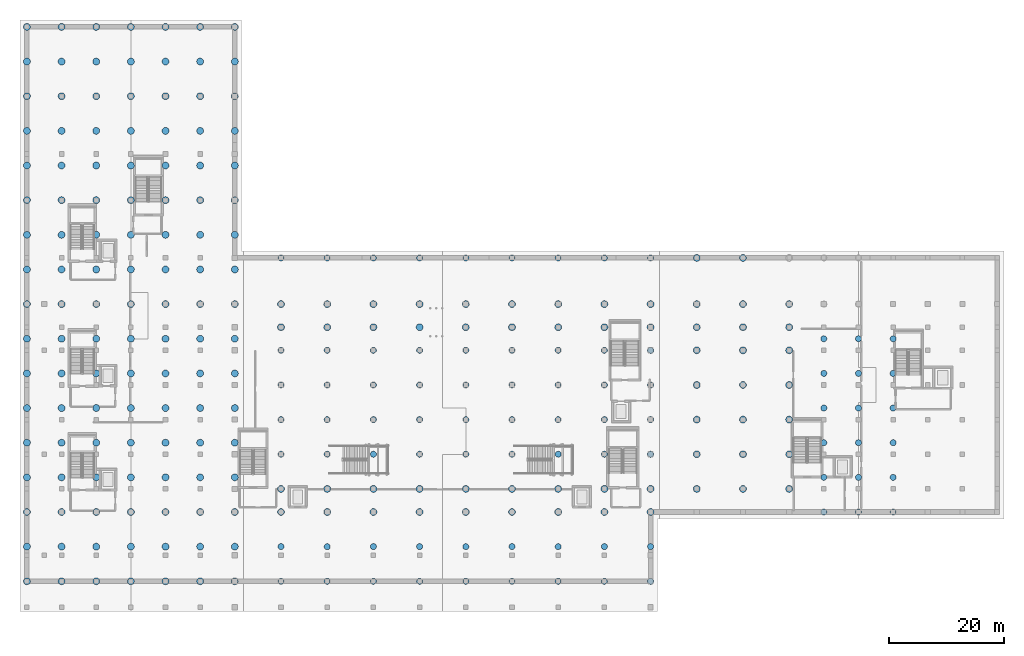
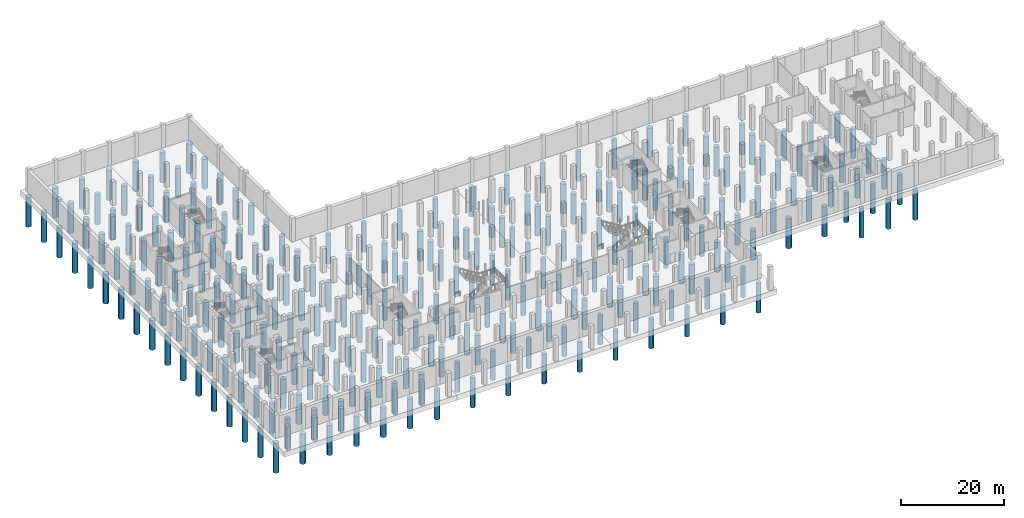
# One storey, part 1 of 26: 259 piles.
"""IFC4 building model written with IfcOpenShell, lengths in metres."""

from ifc_helpers import new_model, si_unit, direction, frame, origin, origin_2d, place, context, subcontext, project, spatial, circle, extrude, material, material_profile, profile_set, type_object, element, save


model = new_model("IFC4")

# Units and contexts
model_context = context("Model", 3, precision=1e-05, world=origin(), true_north=direction((0.0, 1.0)))
body_context = subcontext(model_context, "Body", "Model", "MODEL_VIEW")
ifc_project = project(units=[si_unit("LENGTHUNIT", "METRE"), si_unit("AREAUNIT", "SQUARE_METRE"), si_unit("VOLUMEUNIT", "CUBIC_METRE"), si_unit("PLANEANGLEUNIT", "RADIAN"), si_unit("MASSUNIT", "GRAM", prefix="KILO")], contexts=[model_context])

# Site, building, storey
site_placement = place(None, origin())
site = spatial("IfcSite", under=ifc_project, at=site_placement, CompositionType="ELEMENT")
building_placement = place(site_placement, origin())
building = spatial("IfcBuilding", under=site, at=building_placement, Name="Verrall Gate Interchange", CompositionType="ELEMENT")
storey_placement = place(building_placement, frame((0.0, 0.0, -10.39990234375)))
storey = spatial("IfcBuildingStorey", under=building, at=storey_placement, Name="B2", CompositionType="ELEMENT", Elevation=-10.39990234375)

# Piles
ifc_material_1 = material(Name="Concrete CSA A23.1 35 MPa (Class S-2)", Category="concrete")
ifc_material_profile_1 = material_profile(ifc_material_1, circle(Radius=0.60009765625, at=origin_2d()), Name="PILE1200D")
ifc_profile_set_1 = profile_set([ifc_material_profile_1], Name="Concrete CSA A23.1 35 MPa (Class S-2)")
pile_type_1 = type_object("IfcPileType", Name="PT-01 Bored Pile 1200", PredefinedType="BORED", material=ifc_profile_set_1)
for number, where, z_axis, x_axis, name in (
    (1, (0.0, 0.0, -1.050048828125), (0.0, 0.0, -1.0), (1.0, 0.0, 0.0), "Bored Rock-Socketed Pile P-001 (PT-01)"),
    (2, (0.0, 6.0, -1.050048828125), (0.0, 0.0, -1.0), (1.0, 0.0, 0.0), "Bored Rock-Socketed Pile P-002 (PT-01)"),
    (3, (0.0, 12.0, -1.050048828125), (0.0, 0.0, -1.0), (1.0, 0.0, 0.0), "Bored Rock-Socketed Pile P-003 (PT-01)"),
    (4, (0.0, 18.0, -1.050048828125), (0.0, 0.0, -1.0), (1.0, 0.0, 0.0), "Bored Rock-Socketed Pile P-004 (PT-01)"),
    (5, (0.0, 24.0, -1.050048828125), (0.0, 0.0, -1.0), (1.0, 0.0, 0.0), "Bored Rock-Socketed Pile P-005 (PT-01)"),
    (6, (0.0, 30.0, -1.050048828125), (0.0, 0.0, -1.0), (1.0, 0.0, 0.0), "Bored Rock-Socketed Pile P-006 (PT-01)"),
    (7, (0.0, 36.0, -1.050048828125), (0.0, 0.0, -1.0), (1.0, 0.0, 0.0), "Bored Rock-Socketed Pile P-007 (PT-01)"),
    (8, (0.0, 42.0, -1.050048828125), (0.0, 0.0, -1.0), (1.0, 0.0, 0.0), "Bored Rock-Socketed Pile P-008 (PT-01)"),
    (9, (0.0, 48.0, -1.050048828125), (0.0, 0.0, -1.0), (1.0, 0.0, 0.0), "Bored Rock-Socketed Pile P-009 (PT-01)"),
    (10, (0.0, 54.0, -1.050048828125), (0.0, 0.0, -1.0), (1.0, 0.0, 0.0), "Bored Rock-Socketed Pile P-010 (PT-01)"),
    (11, (0.0, 60.0, -1.050048828125), (0.0, 0.0, -1.0), (1.0, 0.0, 0.0), "Bored Rock-Socketed Pile P-011 (PT-01)"),
    (12, (0.0, 66.0, -1.050048828125), (0.0, 0.0, -1.0), (1.0, 0.0, 0.0), "Bored Rock-Socketed Pile P-012 (PT-01)"),
    (13, (0.0, 72.0, -1.050048828125), (0.0, 0.0, -1.0), (1.0, 0.0, 0.0), "Bored Rock-Socketed Pile P-013 (PT-01)"),
    (14, (0.0, 78.0, -1.050048828125), (0.0, 0.0, -1.0), (1.0, 0.0, 0.0), "Bored Rock-Socketed Pile P-014 (PT-01)"),
    (15, (0.0, 84.0, -1.050048828125), (0.0, 0.0, -1.0), (1.0, 0.0, 0.0), "Bored Rock-Socketed Pile P-015 (PT-01)"),
    (16, (0.0, 90.0, -1.050048828125), (0.0, 0.0, -1.0), (1.0, 0.0, 0.0), "Bored Rock-Socketed Pile P-016 (PT-01)"),
    (17, (0.0, 96.0, -1.050048828125), (0.0, 0.0, -1.0), (1.0, 0.0, 0.0), "Bored Rock-Socketed Pile P-017 (PT-01)"),
    (18, (6.0, 0.0, -1.050048828125), (0.0, 0.0, -1.0), (1.0, 0.0, 0.0), "Bored Rock-Socketed Pile P-018 (PT-01)"),
    (19, (6.0, 6.0, -1.050048828125), (0.0, 0.0, -1.0), (1.0, 0.0, 0.0), "Bored Rock-Socketed Pile P-019 (PT-01)"),
    (20, (6.0, 12.0, -1.050048828125), (0.0, 0.0, -1.0), (1.0, 0.0, 0.0), "Bored Rock-Socketed Pile P-020 (PT-01)"),
    (21, (6.0, 18.0, -1.050048828125), (0.0, 0.0, -1.0), (1.0, 0.0, 0.0), "Bored Rock-Socketed Pile P-021 (PT-01)"),
    (22, (6.0, 24.0, -1.050048828125), (0.0, 0.0, -1.0), (1.0, 0.0, 0.0), "Bored Rock-Socketed Pile P-022 (PT-01)"),
    (23, (6.0, 30.0, -1.050048828125), (0.0, 0.0, -1.0), (1.0, 0.0, 0.0), "Bored Rock-Socketed Pile P-023 (PT-01)"),
    (24, (6.0, 36.0, -1.050048828125), (0.0, 0.0, -1.0), (1.0, 0.0, 0.0), "Bored Rock-Socketed Pile P-024 (PT-01)"),
    (25, (6.0, 42.0, -1.050048828125), (0.0, 0.0, -1.0), (1.0, 0.0, 0.0), "Bored Rock-Socketed Pile P-025 (PT-01)"),
    (26, (6.0, 48.0, -1.050048828125), (0.0, 0.0, -1.0), (1.0, 0.0, 0.0), "Bored Rock-Socketed Pile P-026 (PT-01)"),
    (27, (6.0, 54.0, -1.050048828125), (0.0, 0.0, -1.0), (1.0, 0.0, 0.0), "Bored Rock-Socketed Pile P-027 (PT-01)"),
    (28, (6.0, 60.0, -1.050048828125), (0.0, 0.0, -1.0), (1.0, 0.0, 0.0), "Bored Rock-Socketed Pile P-028 (PT-01)"),
    (29, (6.0, 66.0, -1.050048828125), (0.0, 0.0, -1.0), (1.0, 0.0, 0.0), "Bored Rock-Socketed Pile P-029 (PT-01)"),
    (30, (6.0, 72.0, -1.050048828125), (0.0, 0.0, -1.0), (1.0, 0.0, 0.0), "Bored Rock-Socketed Pile P-030 (PT-01)"),
    (31, (6.0, 78.0, -1.050048828125), (0.0, 0.0, -1.0), (1.0, 0.0, 0.0), "Bored Rock-Socketed Pile P-031 (PT-01)"),
    (32, (6.0, 84.0, -1.050048828125), (0.0, 0.0, -1.0), (1.0, 0.0, 0.0), "Bored Rock-Socketed Pile P-032 (PT-01)"),
    (33, (6.0, 90.0, -1.050048828125), (0.0, 0.0, -1.0), (1.0, 0.0, 0.0), "Bored Rock-Socketed Pile P-033 (PT-01)"),
    (34, (6.0, 96.0, -1.050048828125), (0.0, 0.0, -1.0), (1.0, 0.0, 0.0), "Bored Rock-Socketed Pile P-034 (PT-01)"),
    (35, (12.0, 0.0, -1.050048828125), (0.0, 0.0, -1.0), (1.0, 0.0, 0.0), "Bored Rock-Socketed Pile P-035 (PT-01)"),
    (36, (12.0, 6.0, -1.050048828125), (0.0, 0.0, -1.0), (1.0, 0.0, 0.0), "Bored Rock-Socketed Pile P-036 (PT-01)"),
    (37, (12.0, 12.0, -1.050048828125), (0.0, 0.0, -1.0), (1.0, 0.0, 0.0), "Bored Rock-Socketed Pile P-037 (PT-01)"),
    (38, (12.0, 18.0, -1.050048828125), (0.0, 0.0, -1.0), (1.0, 0.0, 0.0), "Bored Rock-Socketed Pile P-038 (PT-01)"),
    (39, (12.0, 24.0, -1.050048828125), (0.0, 0.0, -1.0), (1.0, 0.0, 0.0), "Bored Rock-Socketed Pile P-039 (PT-01)"),
    (40, (12.0, 30.0, -1.050048828125), (0.0, 0.0, -1.0), (1.0, 0.0, 0.0), "Bored Rock-Socketed Pile P-040 (PT-01)"),
    (41, (12.0, 36.0, -1.050048828125), (0.0, 0.0, -1.0), (1.0, 0.0, 0.0), "Bored Rock-Socketed Pile P-041 (PT-01)"),
    (42, (12.0, 42.0, -1.050048828125), (0.0, 0.0, -1.0), (1.0, 0.0, 0.0), "Bored Rock-Socketed Pile P-042 (PT-01)"),
    (43, (12.0, 48.0, -1.050048828125), (0.0, 0.0, -1.0), (1.0, 0.0, 0.0), "Bored Rock-Socketed Pile P-043 (PT-01)"),
    (44, (12.0, 54.0, -1.050048828125), (0.0, 0.0, -1.0), (1.0, 0.0, 0.0), "Bored Rock-Socketed Pile P-044 (PT-01)"),
    (45, (12.0, 60.0, -1.050048828125), (0.0, 0.0, -1.0), (1.0, 0.0, 0.0), "Bored Rock-Socketed Pile P-045 (PT-01)"),
    (46, (12.0, 66.0, -1.050048828125), (0.0, 0.0, -1.0), (1.0, 0.0, 0.0), "Bored Rock-Socketed Pile P-046 (PT-01)"),
    (47, (12.0, 72.0, -1.050048828125), (0.0, 0.0, -1.0), (1.0, 0.0, 0.0), "Bored Rock-Socketed Pile P-047 (PT-01)"),
    (48, (12.0, 78.0, -1.050048828125), (0.0, 0.0, -1.0), (1.0, 0.0, 0.0), "Bored Rock-Socketed Pile P-048 (PT-01)"),
    (49, (12.0, 84.0, -1.050048828125), (0.0, 0.0, -1.0), (1.0, 0.0, 0.0), "Bored Rock-Socketed Pile P-049 (PT-01)"),
    (50, (12.0, 90.0, -1.050048828125), (0.0, 0.0, -1.0), (1.0, 0.0, 0.0), "Bored Rock-Socketed Pile P-050 (PT-01)"),
    (51, (12.0, 96.0, -1.050048828125), (0.0, 0.0, -1.0), (1.0, 0.0, 0.0), "Bored Rock-Socketed Pile P-051 (PT-01)"),
    (52, (18.0, 0.0, -1.050048828125), (0.0, 0.0, -1.0), (1.0, 0.0, 0.0), "Bored Rock-Socketed Pile P-052 (PT-01)"),
    (53, (18.0, 6.0, -1.050048828125), (0.0, 0.0, -1.0), (1.0, 0.0, 0.0), "Bored Rock-Socketed Pile P-053 (PT-01)"),
    (54, (18.0, 12.0, -1.050048828125), (0.0, 0.0, -1.0), (1.0, 0.0, 0.0), "Bored Rock-Socketed Pile P-054 (PT-01)"),
    (55, (18.0, 18.0, -1.050048828125), (0.0, 0.0, -1.0), (1.0, 0.0, 0.0), "Bored Rock-Socketed Pile P-055 (PT-01)"),
    (56, (18.0, 24.0, -1.050048828125), (0.0, 0.0, -1.0), (1.0, 0.0, 0.0), "Bored Rock-Socketed Pile P-056 (PT-01)"),
    (57, (18.0, 30.0, -1.050048828125), (0.0, 0.0, -1.0), (1.0, 0.0, 0.0), "Bored Rock-Socketed Pile P-057 (PT-01)"),
    (58, (18.0, 36.0, -1.050048828125), (0.0, 0.0, -1.0), (1.0, 0.0, 0.0), "Bored Rock-Socketed Pile P-058 (PT-01)"),
    (59, (18.0, 42.0, -1.050048828125), (0.0, 0.0, -1.0), (1.0, 0.0, 0.0), "Bored Rock-Socketed Pile P-059 (PT-01)"),
    (60, (18.0, 48.0, -1.050048828125), (0.0, 0.0, -1.0), (1.0, 0.0, 0.0), "Bored Rock-Socketed Pile P-060 (PT-01)"),
    (61, (18.0, 54.0, -1.050048828125), (0.0, 0.0, -1.0), (1.0, 0.0, 0.0), "Bored Rock-Socketed Pile P-061 (PT-01)"),
    (62, (18.0, 60.0, -1.050048828125), (0.0, 0.0, -1.0), (1.0, 0.0, 0.0), "Bored Rock-Socketed Pile P-062 (PT-01)"),
    (63, (18.0, 66.0, -1.050048828125), (0.0, 0.0, -1.0), (1.0, 0.0, 0.0), "Bored Rock-Socketed Pile P-063 (PT-01)"),
    (64, (18.0, 72.0, -1.050048828125), (0.0, 0.0, -1.0), (1.0, 0.0, 0.0), "Bored Rock-Socketed Pile P-064 (PT-01)"),
    (65, (18.0, 78.0, -1.050048828125), (0.0, 0.0, -1.0), (1.0, 0.0, 0.0), "Bored Rock-Socketed Pile P-065 (PT-01)"),
    (66, (18.0, 84.0, -1.050048828125), (0.0, 0.0, -1.0), (1.0, 0.0, 0.0), "Bored Rock-Socketed Pile P-066 (PT-01)"),
    (67, (18.0, 90.0, -1.050048828125), (0.0, 0.0, -1.0), (1.0, 0.0, 0.0), "Bored Rock-Socketed Pile P-067 (PT-01)"),
    (68, (18.0, 96.0, -1.050048828125), (0.0, 0.0, -1.0), (1.0, 0.0, 0.0), "Bored Rock-Socketed Pile P-068 (PT-01)"),
    (69, (24.0, 0.0, -1.050048828125), (0.0, 0.0, -1.0), (1.0, 0.0, 0.0), "Bored Rock-Socketed Pile P-069 (PT-01)"),
    (70, (24.0, 6.0, -1.050048828125), (0.0, 0.0, -1.0), (1.0, 0.0, 0.0), "Bored Rock-Socketed Pile P-070 (PT-01)"),
    (71, (24.0, 12.0, -1.050048828125), (0.0, 0.0, -1.0), (1.0, 0.0, 0.0), "Bored Rock-Socketed Pile P-071 (PT-01)"),
    (72, (24.0, 18.0, -1.050048828125), (0.0, 0.0, -1.0), (1.0, 0.0, 0.0), "Bored Rock-Socketed Pile P-072 (PT-01)"),
    (73, (24.0, 24.0, -1.050048828125), (0.0, 0.0, -1.0), (1.0, 0.0, 0.0), "Bored Rock-Socketed Pile P-073 (PT-01)"),
    (74, (24.0, 30.0, -1.050048828125), (0.0, 0.0, -1.0), (1.0, 0.0, 0.0), "Bored Rock-Socketed Pile P-074 (PT-01)"),
    (75, (24.0, 36.0, -1.050048828125), (0.0, 0.0, -1.0), (1.0, 0.0, 0.0), "Bored Rock-Socketed Pile P-075 (PT-01)"),
    (76, (24.0, 42.0, -1.050048828125), (0.0, 0.0, -1.0), (1.0, 0.0, 0.0), "Bored Rock-Socketed Pile P-076 (PT-01)"),
    (77, (24.0, 48.0, -1.050048828125), (0.0, 0.0, -1.0), (1.0, 0.0, 0.0), "Bored Rock-Socketed Pile P-077 (PT-01)"),
    (78, (24.0, 54.0, -1.050048828125), (0.0, 0.0, -1.0), (1.0, 0.0, 0.0), "Bored Rock-Socketed Pile P-078 (PT-01)"),
    (79, (24.0, 60.0, -1.050048828125), (0.0, 0.0, -1.0), (1.0, 0.0, 0.0), "Bored Rock-Socketed Pile P-079 (PT-01)"),
    (80, (24.0, 66.0, -1.050048828125), (0.0, 0.0, -1.0), (1.0, 0.0, 0.0), "Bored Rock-Socketed Pile P-080 (PT-01)"),
    (81, (24.0, 72.0, -1.050048828125), (0.0, 0.0, -1.0), (1.0, 0.0, 0.0), "Bored Rock-Socketed Pile P-081 (PT-01)"),
    (82, (24.0, 78.0, -1.050048828125), (0.0, 0.0, -1.0), (1.0, 0.0, 0.0), "Bored Rock-Socketed Pile P-082 (PT-01)"),
    (83, (24.0, 84.0, -1.050048828125), (0.0, 0.0, -1.0), (1.0, 0.0, 0.0), "Bored Rock-Socketed Pile P-083 (PT-01)"),
    (84, (24.0, 90.0, -1.050048828125), (0.0, 0.0, -1.0), (1.0, 0.0, 0.0), "Bored Rock-Socketed Pile P-084 (PT-01)"),
    (85, (24.0, 96.0, -1.050048828125), (0.0, 0.0, -1.0), (1.0, 0.0, 0.0), "Bored Rock-Socketed Pile P-085 (PT-01)"),
    (86, (30.0, 0.0, -1.050048828125), (0.0, 0.0, -1.0), (1.0, 0.0, 0.0), "Bored Rock-Socketed Pile P-086 (PT-01)"),
    (87, (30.0, 6.0, -1.050048828125), (0.0, 0.0, -1.0), (1.0, 0.0, 0.0), "Bored Rock-Socketed Pile P-087 (PT-01)"),
    (88, (30.0, 12.0, -1.050048828125), (0.0, 0.0, -1.0), (1.0, 0.0, 0.0), "Bored Rock-Socketed Pile P-088 (PT-01)"),
    (89, (30.0, 18.0, -1.050048828125), (0.0, 0.0, -1.0), (1.0, 0.0, 0.0), "Bored Rock-Socketed Pile P-089 (PT-01)"),
    (90, (30.0, 24.0, -1.050048828125), (0.0, 0.0, -1.0), (1.0, 0.0, 0.0), "Bored Rock-Socketed Pile P-090 (PT-01)"),
    (91, (30.0, 30.0, -1.050048828125), (0.0, 0.0, -1.0), (1.0, 0.0, 0.0), "Bored Rock-Socketed Pile P-091 (PT-01)"),
    (92, (30.0, 36.0, -1.050048828125), (0.0, 0.0, -1.0), (1.0, 0.0, 0.0), "Bored Rock-Socketed Pile P-092 (PT-01)"),
    (93, (30.0, 42.0, -1.050048828125), (0.0, 0.0, -1.0), (1.0, 0.0, 0.0), "Bored Rock-Socketed Pile P-093 (PT-01)"),
    (94, (30.0, 48.0, -1.050048828125), (0.0, 0.0, -1.0), (1.0, 0.0, 0.0), "Bored Rock-Socketed Pile P-094 (PT-01)"),
    (95, (30.0, 54.0, -1.050048828125), (0.0, 0.0, -1.0), (1.0, 0.0, 0.0), "Bored Rock-Socketed Pile P-095 (PT-01)"),
    (96, (30.0, 60.0, -1.050048828125), (0.0, 0.0, -1.0), (1.0, 0.0, 0.0), "Bored Rock-Socketed Pile P-096 (PT-01)"),
    (97, (30.0, 66.0, -1.050048828125), (0.0, 0.0, -1.0), (1.0, 0.0, 0.0), "Bored Rock-Socketed Pile P-097 (PT-01)"),
    (98, (30.0, 72.0, -1.050048828125), (0.0, 0.0, -1.0), (1.0, 0.0, 0.0), "Bored Rock-Socketed Pile P-098 (PT-01)"),
    (99, (30.0, 78.0, -1.050048828125), (0.0, 0.0, -1.0), (1.0, 0.0, 0.0), "Bored Rock-Socketed Pile P-099 (PT-01)"),
    (100, (30.0, 84.0, -1.050048828125), (0.0, 0.0, -1.0), (1.0, 0.0, 0.0), "Bored Rock-Socketed Pile P-100 (PT-01)"),
    (101, (30.0, 90.0, -1.050048828125), (0.0, 0.0, -1.0), (1.0, 0.0, 0.0), "Bored Rock-Socketed Pile P-101 (PT-01)"),
    (102, (30.0, 96.0, -1.050048828125), (0.0, 0.0, -1.0), (1.0, 0.0, 0.0), "Bored Rock-Socketed Pile P-102 (PT-01)"),
    (103, (36.0, 0.0, -1.050048828125), (0.0, 0.0, -1.0), (1.0, 0.0, 0.0), "Bored Rock-Socketed Pile P-103 (PT-01)"),
    (104, (36.0, 6.0, -1.050048828125), (0.0, 0.0, -1.0), (1.0, 0.0, 0.0), "Bored Rock-Socketed Pile P-104 (PT-01)"),
    (105, (36.0, 12.0, -1.050048828125), (0.0, 0.0, -1.0), (1.0, 0.0, 0.0), "Bored Rock-Socketed Pile P-105 (PT-01)"),
    (106, (36.0, 18.0, -1.050048828125), (0.0, 0.0, -1.0), (1.0, 0.0, 0.0), "Bored Rock-Socketed Pile P-106 (PT-01)"),
    (107, (36.0, 24.0, -1.050048828125), (0.0, 0.0, -1.0), (1.0, 0.0, 0.0), "Bored Rock-Socketed Pile P-107 (PT-01)"),
    (108, (36.0, 30.0, -1.050048828125), (0.0, 0.0, -1.0), (1.0, 0.0, 0.0), "Bored Rock-Socketed Pile P-108 (PT-01)"),
    (109, (36.0, 36.0, -1.050048828125), (0.0, 0.0, -1.0), (1.0, 0.0, 0.0), "Bored Rock-Socketed Pile P-109 (PT-01)"),
    (110, (36.0, 42.0, -1.050048828125), (0.0, 0.0, -1.0), (1.0, 0.0, 0.0), "Bored Rock-Socketed Pile P-110 (PT-01)"),
    (111, (36.0, 48.0, -1.050048828125), (0.0, 0.0, -1.0), (1.0, 0.0, 0.0), "Bored Rock-Socketed Pile P-111 (PT-01)"),
    (112, (36.0, 54.0, -1.050048828125), (0.0, 0.0, -1.0), (1.0, 0.0, 0.0), "Bored Rock-Socketed Pile P-112 (PT-01)"),
    (113, (36.0, 60.0, -1.050048828125), (0.0, 0.0, -1.0), (1.0, 0.0, 0.0), "Bored Rock-Socketed Pile P-113 (PT-01)"),
    (114, (36.0, 66.0, -1.050048828125), (0.0, 0.0, -1.0), (1.0, 0.0, 0.0), "Bored Rock-Socketed Pile P-114 (PT-01)"),
    (115, (36.0, 72.0, -1.050048828125), (0.0, 0.0, -1.0), (1.0, 0.0, 0.0), "Bored Rock-Socketed Pile P-115 (PT-01)"),
    (116, (36.0, 78.0, -1.050048828125), (0.0, 0.0, -1.0), (1.0, 0.0, 0.0), "Bored Rock-Socketed Pile P-116 (PT-01)"),
    (117, (36.0, 84.0, -1.050048828125), (0.0, 0.0, -1.0), (1.0, 0.0, 0.0), "Bored Rock-Socketed Pile P-117 (PT-01)"),
    (118, (36.0, 90.0, -1.050048828125), (0.0, 0.0, -1.0), (1.0, 0.0, 0.0), "Bored Rock-Socketed Pile P-118 (PT-01)"),
    (119, (36.0, 96.0, -1.050048828125), (0.0, 0.0, -1.0), (1.0, 0.0, 0.0), "Bored Rock-Socketed Pile P-119 (PT-01)"),
    (120, (44.0, 12.0, -1.050048828125), (0.0, 0.0, -1.0), (1.0, 0.0, 0.0), "Bored Rock-Socketed Pile P-122 (PT-01)"),
    (121, (44.0, 16.0, -1.050048828125), (0.0, 0.0, -1.0), (1.0, 0.0, 0.0), "Bored Rock-Socketed Pile P-123 (PT-01)"),
    (122, (44.0, 44.0, -1.050048828125), (0.0, 0.0, -1.0), (1.0, 0.0, 0.0), "Bored Rock-Socketed Pile P-128 (PT-01)"),
    (123, (44.0, 48.0, -1.050048828125), (0.0, 0.0, -1.0), (1.0, 0.0, 0.0), "Bored Rock-Socketed Pile P-129 (PT-01)"),
    (124, (52.0, 12.0, -1.050048828125), (0.0, 0.0, -1.0), (1.0, 0.0, 0.0), "Bored Rock-Socketed Pile P-133 (PT-01)"),
    (125, (52.0, 16.0, -1.050048828125), (0.0, 0.0, -1.0), (1.0, 0.0, 0.0), "Bored Rock-Socketed Pile P-134 (PT-01)"),
    (126, (52.0, 44.0, -1.050048828125), (0.0, 0.0, -1.0), (1.0, 0.0, 0.0), "Bored Rock-Socketed Pile P-139 (PT-01)"),
    (127, (52.0, 48.0, -1.050048828125), (0.0, 0.0, -1.0), (1.0, 0.0, 0.0), "Bored Rock-Socketed Pile P-140 (PT-01)"),
    (128, (60.0, 12.0, -1.050048828125), (0.0, 0.0, -1.0), (1.0, 0.0, 0.0), "Bored Rock-Socketed Pile P-144 (PT-01)"),
    (129, (60.0, 16.0, -1.050048828125), (0.0, 0.0, -1.0), (1.0, 0.0, 0.0), "Bored Rock-Socketed Pile P-145 (PT-01)"),
    (130, (60.0, 44.0, -1.050048828125), (0.0, 0.0, -1.0), (1.0, 0.0, 0.0), "Bored Rock-Socketed Pile P-150 (PT-01)"),
    (131, (60.0, 48.0, -1.050048828125), (0.0, 0.0, -1.0), (1.0, 0.0, 0.0), "Bored Rock-Socketed Pile P-151 (PT-01)"),
    (132, (68.0, 12.0, -1.050048828125), (0.0, 0.0, -1.0), (1.0, 0.0, 0.0), "Bored Rock-Socketed Pile P-155 (PT-01)"),
    (133, (68.0, 16.0, -1.050048828125), (0.0, 0.0, -1.0), (1.0, 0.0, 0.0), "Bored Rock-Socketed Pile P-156 (PT-01)"),
    (134, (68.0, 44.0, -1.050048828125), (0.0, 0.0, -1.0), (1.0, 0.0, 0.0), "Bored Rock-Socketed Pile P-161 (PT-01)"),
    (135, (68.0, 48.0, -1.050048828125), (0.0, 0.0, -1.0), (1.0, 0.0, 0.0), "Bored Rock-Socketed Pile P-162 (PT-01)"),
    (136, (76.0, 12.0, -1.050048828125), (0.0, 0.0, -1.0), (1.0, 0.0, 0.0), "Bored Rock-Socketed Pile P-166 (PT-01)"),
    (137, (76.0, 16.0, -1.050048828125), (0.0, 0.0, -1.0), (1.0, 0.0, 0.0), "Bored Rock-Socketed Pile P-167 (PT-01)"),
    (138, (76.0, 44.0, -1.050048828125), (0.0, 0.0, -1.0), (1.0, 0.0, 0.0), "Bored Rock-Socketed Pile P-172 (PT-01)"),
    (139, (76.0, 48.0, -1.050048828125), (0.0, 0.0, -1.0), (1.0, 0.0, 0.0), "Bored Rock-Socketed Pile P-173 (PT-01)"),
    (140, (84.0, 12.0, -1.050048828125), (0.0, 0.0, -1.0), (1.0, 0.0, 0.0), "Bored Rock-Socketed Pile P-177 (PT-01)"),
    (141, (84.0, 16.0, -1.050048828125), (0.0, 0.0, -1.0), (1.0, 0.0, 0.0), "Bored Rock-Socketed Pile P-178 (PT-01)"),
    (142, (84.0, 44.0, -1.050048828125), (0.0, 0.0, -1.0), (1.0, 0.0, 0.0), "Bored Rock-Socketed Pile P-183 (PT-01)"),
    (143, (84.0, 48.0, -1.050048828125), (0.0, 0.0, -1.0), (1.0, 0.0, 0.0), "Bored Rock-Socketed Pile P-184 (PT-01)"),
    (144, (92.0, 12.0, -1.050048828125), (0.0, 0.0, -1.0), (1.0, 0.0, 0.0), "Bored Rock-Socketed Pile P-188 (PT-01)"),
    (145, (92.0, 16.0, -1.050048828125), (0.0, 0.0, -1.0), (1.0, 0.0, 0.0), "Bored Rock-Socketed Pile P-189 (PT-01)"),
    (146, (92.0, 44.0, -1.050048828125), (0.0, 0.0, -1.0), (1.0, 0.0, 0.0), "Bored Rock-Socketed Pile P-194 (PT-01)"),
    (147, (92.0, 48.0, -1.050048828125), (0.0, 0.0, -1.0), (1.0, 0.0, 0.0), "Bored Rock-Socketed Pile P-195 (PT-01)"),
    (148, (100.0, 12.0, -1.050048828125), (0.0, 0.0, -1.0), (1.0, 0.0, 0.0), "Bored Rock-Socketed Pile P-199 (PT-01)"),
    (149, (100.0, 16.0, -1.050048828125), (0.0, 0.0, -1.0), (1.0, 0.0, 0.0), "Bored Rock-Socketed Pile P-200 (PT-01)"),
    (150, (100.0, 44.0, -1.050048828125), (0.0, 0.0, -1.0), (1.0, 0.0, 0.0), "Bored Rock-Socketed Pile P-205 (PT-01)"),
    (151, (100.0, 48.0, -1.050048828125), (0.0, 0.0, -1.0), (1.0, 0.0, 0.0), "Bored Rock-Socketed Pile P-206 (PT-01)"),
    (152, (108.0, 12.0, -1.050048828125), (0.0, 0.0, -1.0), (1.0, 0.0, 0.0), "Bored Rock-Socketed Pile P-210 (PT-01)"),
    (153, (108.0, 16.0, -1.050048828125), (0.0, 0.0, -1.0), (1.0, 0.0, 0.0), "Bored Rock-Socketed Pile P-211 (PT-01)"),
    (154, (108.0, 44.0, -1.050048828125), (0.0, 0.0, -1.0), (1.0, 0.0, 0.0), "Bored Rock-Socketed Pile P-216 (PT-01)"),
    (155, (108.0, 48.0, -1.050048828125), (0.0, 0.0, -1.0), (1.0, 0.0, 0.0), "Bored Rock-Socketed Pile P-217 (PT-01)"),
    (156, (116.0, 16.0, -1.050048828125), (0.0, 0.0, -1.0), (1.0, 0.0, 0.0), "Bored Rock-Socketed Pile P-219 (PT-01)"),
    (157, (116.0, 22.0, -1.050048828125), (0.0, 0.0, -1.0), (1.0, 0.0, 0.0), "Bored Rock-Socketed Pile P-220 (PT-01)"),
    (158, (116.0, 28.0, -1.050048828125), (0.0, 0.0, -1.0), (1.0, 0.0, 0.0), "Bored Rock-Socketed Pile P-221 (PT-01)"),
    (159, (116.0, 34.0, -1.050048828125), (0.0, 0.0, -1.0), (1.0, 0.0, 0.0), "Bored Rock-Socketed Pile P-222 (PT-01)"),
    (160, (116.0, 40.0, -1.050048828125), (0.0, 0.0, -1.0), (1.0, 0.0, 0.0), "Bored Rock-Socketed Pile P-223 (PT-01)"),
    (161, (116.0, 44.0, -1.050048828125), (0.0, 0.0, -1.0), (1.0, 0.0, 0.0), "Bored Rock-Socketed Pile P-224 (PT-01)"),
    (162, (116.0, 48.0, -1.050048828125), (0.0, 0.0, -1.0), (1.0, 0.0, 0.0), "Bored Rock-Socketed Pile P-225 (PT-01)"),
    (163, (116.0, 56.0, -1.050048828125), (0.0, 0.0, -1.0), (1.0, 0.0, 0.0), "Bored Rock-Socketed Pile P-226 (PT-01)"),
    (164, (124.0, 16.0, -1.050048828125), (0.0, 0.0, -1.0), (1.0, 0.0, 0.0), "Bored Rock-Socketed Pile P-227 (PT-01)"),
    (165, (124.0, 22.0, -1.050048828125), (0.0, 0.0, -1.0), (1.0, 0.0, 0.0), "Bored Rock-Socketed Pile P-228 (PT-01)"),
    (166, (124.0, 28.0, -1.050048828125), (0.0, 0.0, -1.0), (1.0, 0.0, 0.0), "Bored Rock-Socketed Pile P-229 (PT-01)"),
    (167, (124.0, 34.0, -1.050048828125), (0.0, 0.0, -1.0), (1.0, 0.0, 0.0), "Bored Rock-Socketed Pile P-230 (PT-01)"),
    (168, (124.0, 40.0, -1.050048828125), (0.0, 0.0, -1.0), (1.0, 0.0, 0.0), "Bored Rock-Socketed Pile P-231 (PT-01)"),
    (169, (124.0, 44.0, -1.050048828125), (0.0, 0.0, -1.0), (1.0, 0.0, 0.0), "Bored Rock-Socketed Pile P-232 (PT-01)"),
    (170, (124.0, 48.0, -1.050048828125), (0.0, 0.0, -1.0), (1.0, 0.0, 0.0), "Bored Rock-Socketed Pile P-233 (PT-01)"),
    (171, (124.0, 56.0, -1.050048828125), (0.0, 0.0, -1.0), (1.0, 0.0, 0.0), "Bored Rock-Socketed Pile P-234 (PT-01)"),
    (172, (132.0, 16.0, -1.050048828125), (0.0, 0.0, -1.0), (1.0, 0.0, 0.0), "Bored Rock-Socketed Pile P-235 (PT-01)"),
    (173, (132.0, 22.0, -1.050048828125), (0.0, 0.0, -1.0), (1.0, 0.0, 0.0), "Bored Rock-Socketed Pile P-236 (PT-01)"),
    (174, (132.0, 28.0, -1.050048828125), (0.0, 0.0, -1.0), (1.0, 0.0, 0.0), "Bored Rock-Socketed Pile P-237 (PT-01)"),
    (175, (132.0, 34.0, -1.050048828125), (0.0, 0.0, -1.0), (1.0, 0.0, 0.0), "Bored Rock-Socketed Pile P-238 (PT-01)"),
    (176, (132.0, 40.0, -1.050048828125), (0.0, 0.0, -1.0), (1.0, 0.0, 0.0), "Bored Rock-Socketed Pile P-239 (PT-01)"),
    (177, (132.0, 44.0, -1.050048828125), (0.0, 0.0, -1.0), (1.0, 0.0, 0.0), "Bored Rock-Socketed Pile P-240 (PT-01)"),
    (178, (132.0, 48.0, -1.050048828125), (0.0, 0.0, -1.0), (1.0, 0.0, 0.0), "Bored Rock-Socketed Pile P-241 (PT-01)"),
):
    element("IfcPile", number, at=place(storey_placement, frame(where, z_axis=z_axis, x_axis=x_axis)), inside=storey, type_object=pile_type_1, Name=name, PredefinedType="BORED", context=body_context, shape_type="SweptSolid", body=[
        extrude(circle(Radius=0.60009765625, at=origin_2d()), origin(), (0.0, 0.0, 1.0), 7.050048828125),
    ])
ifc_material_2 = material(Name="Concrete CSA A23.1 35 MPa (Class S-2)", Category="concrete")
ifc_material_profile_2 = material_profile(ifc_material_2, circle(Radius=0.52490234375, at=origin_2d()), Name="PILE1050D")
ifc_profile_set_2 = profile_set([ifc_material_profile_2], Name="Concrete CSA A23.1 35 MPa (Class S-2)")
pile_type_2 = type_object("IfcPileType", Name="PT-02 Bored Pile 1050", PredefinedType="BORED", material=ifc_profile_set_2)
for number, where, z_axis, x_axis, name in (
    (179, (44.0, 0.0, -1.050048828125), (0.0, 0.0, -1.0), (1.0, 0.0, 0.0), "Bored Rock-Socketed Pile P-120 (PT-02)"),
    (180, (44.0, 6.0, -1.050048828125), (0.0, 0.0, -1.0), (1.0, 0.0, 0.0), "Bored Rock-Socketed Pile P-121 (PT-02)"),
    (181, (44.0, 22.0, -1.050048828125), (0.0, 0.0, -1.0), (1.0, 0.0, 0.0), "Bored Rock-Socketed Pile P-124 (PT-02)"),
    (182, (44.0, 28.0, -1.050048828125), (0.0, 0.0, -1.0), (1.0, 0.0, 0.0), "Bored Rock-Socketed Pile P-125 (PT-02)"),
    (183, (44.0, 34.0, -1.050048828125), (0.0, 0.0, -1.0), (1.0, 0.0, 0.0), "Bored Rock-Socketed Pile P-126 (PT-02)"),
    (184, (44.0, 40.0, -1.050048828125), (0.0, 0.0, -1.0), (1.0, 0.0, 0.0), "Bored Rock-Socketed Pile P-127 (PT-02)"),
    (185, (44.0, 56.0, -1.050048828125), (0.0, 0.0, -1.0), (1.0, 0.0, 0.0), "Bored Rock-Socketed Pile P-130 (PT-02)"),
    (186, (52.0, 0.0, -1.050048828125), (0.0, 0.0, -1.0), (1.0, 0.0, 0.0), "Bored Rock-Socketed Pile P-131 (PT-02)"),
    (187, (52.0, 6.0, -1.050048828125), (0.0, 0.0, -1.0), (1.0, 0.0, 0.0), "Bored Rock-Socketed Pile P-132 (PT-02)"),
    (188, (52.0, 22.0, -1.050048828125), (0.0, 0.0, -1.0), (1.0, 0.0, 0.0), "Bored Rock-Socketed Pile P-135 (PT-02)"),
    (189, (52.0, 28.0, -1.050048828125), (0.0, 0.0, -1.0), (1.0, 0.0, 0.0), "Bored Rock-Socketed Pile P-136 (PT-02)"),
    (190, (52.0, 34.0, -1.050048828125), (0.0, 0.0, -1.0), (1.0, 0.0, 0.0), "Bored Rock-Socketed Pile P-137 (PT-02)"),
    (191, (52.0, 40.0, -1.050048828125), (0.0, 0.0, -1.0), (1.0, 0.0, 0.0), "Bored Rock-Socketed Pile P-138 (PT-02)"),
    (192, (52.0, 56.0, -1.050048828125), (0.0, 0.0, -1.0), (1.0, 0.0, 0.0), "Bored Rock-Socketed Pile P-141 (PT-02)"),
    (193, (60.0, 0.0, -1.050048828125), (0.0, 0.0, -1.0), (1.0, 0.0, 0.0), "Bored Rock-Socketed Pile P-142 (PT-02)"),
    (194, (60.0, 6.0, -1.050048828125), (0.0, 0.0, -1.0), (1.0, 0.0, 0.0), "Bored Rock-Socketed Pile P-143 (PT-02)"),
    (195, (60.0, 22.0, -1.050048828125), (0.0, 0.0, -1.0), (1.0, 0.0, 0.0), "Bored Rock-Socketed Pile P-146 (PT-02)"),
    (196, (60.0, 28.0, -1.050048828125), (0.0, 0.0, -1.0), (1.0, 0.0, 0.0), "Bored Rock-Socketed Pile P-147 (PT-02)"),
    (197, (60.0, 34.0, -1.050048828125), (0.0, 0.0, -1.0), (1.0, 0.0, 0.0), "Bored Rock-Socketed Pile P-148 (PT-02)"),
    (198, (60.0, 40.0, -1.050048828125), (0.0, 0.0, -1.0), (1.0, 0.0, 0.0), "Bored Rock-Socketed Pile P-149 (PT-02)"),
    (199, (60.0, 56.0, -1.050048828125), (0.0, 0.0, -1.0), (1.0, 0.0, 0.0), "Bored Rock-Socketed Pile P-152 (PT-02)"),
    (200, (68.0, 0.0, -1.050048828125), (0.0, 0.0, -1.0), (1.0, 0.0, 0.0), "Bored Rock-Socketed Pile P-153 (PT-02)"),
    (201, (68.0, 6.0, -1.050048828125), (0.0, 0.0, -1.0), (1.0, 0.0, 0.0), "Bored Rock-Socketed Pile P-154 (PT-02)"),
    (202, (68.0, 22.0, -1.050048828125), (0.0, 0.0, -1.0), (1.0, 0.0, 0.0), "Bored Rock-Socketed Pile P-157 (PT-02)"),
    (203, (68.0, 28.0, -1.050048828125), (0.0, 0.0, -1.0), (1.0, 0.0, 0.0), "Bored Rock-Socketed Pile P-158 (PT-02)"),
    (204, (68.0, 34.0, -1.050048828125), (0.0, 0.0, -1.0), (1.0, 0.0, 0.0), "Bored Rock-Socketed Pile P-159 (PT-02)"),
    (205, (68.0, 40.0, -1.050048828125), (0.0, 0.0, -1.0), (1.0, 0.0, 0.0), "Bored Rock-Socketed Pile P-160 (PT-02)"),
    (206, (68.0, 56.0, -1.050048828125), (0.0, 0.0, -1.0), (1.0, 0.0, 0.0), "Bored Rock-Socketed Pile P-163 (PT-02)"),
    (207, (76.0, 0.0, -1.050048828125), (0.0, 0.0, -1.0), (1.0, 0.0, 0.0), "Bored Rock-Socketed Pile P-164 (PT-02)"),
    (208, (76.0, 6.0, -1.050048828125), (0.0, 0.0, -1.0), (1.0, 0.0, 0.0), "Bored Rock-Socketed Pile P-165 (PT-02)"),
    (209, (76.0, 22.0, -1.050048828125), (0.0, 0.0, -1.0), (1.0, 0.0, 0.0), "Bored Rock-Socketed Pile P-168 (PT-02)"),
    (210, (76.0, 28.0, -1.050048828125), (0.0, 0.0, -1.0), (1.0, 0.0, 0.0), "Bored Rock-Socketed Pile P-169 (PT-02)"),
    (211, (76.0, 34.0, -1.050048828125), (0.0, 0.0, -1.0), (1.0, 0.0, 0.0), "Bored Rock-Socketed Pile P-170 (PT-02)"),
    (212, (76.0, 40.0, -1.050048828125), (0.0, 0.0, -1.0), (1.0, 0.0, 0.0), "Bored Rock-Socketed Pile P-171 (PT-02)"),
    (213, (76.0, 56.0, -1.050048828125), (0.0, 0.0, -1.0), (1.0, 0.0, 0.0), "Bored Rock-Socketed Pile P-174 (PT-02)"),
    (214, (84.0, 0.0, -1.050048828125), (0.0, 0.0, -1.0), (1.0, 0.0, 0.0), "Bored Rock-Socketed Pile P-175 (PT-02)"),
    (215, (84.0, 6.0, -1.050048828125), (0.0, 0.0, -1.0), (1.0, 0.0, 0.0), "Bored Rock-Socketed Pile P-176 (PT-02)"),
    (216, (84.0, 22.0, -1.050048828125), (0.0, 0.0, -1.0), (1.0, 0.0, 0.0), "Bored Rock-Socketed Pile P-179 (PT-02)"),
    (217, (84.0, 28.0, -1.050048828125), (0.0, 0.0, -1.0), (1.0, 0.0, 0.0), "Bored Rock-Socketed Pile P-180 (PT-02)"),
    (218, (84.0, 34.0, -1.050048828125), (0.0, 0.0, -1.0), (1.0, 0.0, 0.0), "Bored Rock-Socketed Pile P-181 (PT-02)"),
    (219, (84.0, 40.0, -1.050048828125), (0.0, 0.0, -1.0), (1.0, 0.0, 0.0), "Bored Rock-Socketed Pile P-182 (PT-02)"),
    (220, (84.0, 56.0, -1.050048828125), (0.0, 0.0, -1.0), (1.0, 0.0, 0.0), "Bored Rock-Socketed Pile P-185 (PT-02)"),
    (221, (92.0, 0.0, -1.050048828125), (0.0, 0.0, -1.0), (1.0, 0.0, 0.0), "Bored Rock-Socketed Pile P-186 (PT-02)"),
    (222, (92.0, 6.0, -1.050048828125), (0.0, 0.0, -1.0), (1.0, 0.0, 0.0), "Bored Rock-Socketed Pile P-187 (PT-02)"),
    (223, (92.0, 22.0, -1.050048828125), (0.0, 0.0, -1.0), (1.0, 0.0, 0.0), "Bored Rock-Socketed Pile P-190 (PT-02)"),
    (224, (92.0, 28.0, -1.050048828125), (0.0, 0.0, -1.0), (1.0, 0.0, 0.0), "Bored Rock-Socketed Pile P-191 (PT-02)"),
    (225, (92.0, 34.0, -1.050048828125), (0.0, 0.0, -1.0), (1.0, 0.0, 0.0), "Bored Rock-Socketed Pile P-192 (PT-02)"),
    (226, (92.0, 40.0, -1.050048828125), (0.0, 0.0, -1.0), (1.0, 0.0, 0.0), "Bored Rock-Socketed Pile P-193 (PT-02)"),
    (227, (92.0, 56.0, -1.050048828125), (0.0, 0.0, -1.0), (1.0, 0.0, 0.0), "Bored Rock-Socketed Pile P-196 (PT-02)"),
    (228, (100.0, 0.0, -1.050048828125), (0.0, 0.0, -1.0), (1.0, 0.0, 0.0), "Bored Rock-Socketed Pile P-197 (PT-02)"),
    (229, (100.0, 6.0, -1.050048828125), (0.0, 0.0, -1.0), (1.0, 0.0, 0.0), "Bored Rock-Socketed Pile P-198 (PT-02)"),
    (230, (100.0, 22.0, -1.050048828125), (0.0, 0.0, -1.0), (1.0, 0.0, 0.0), "Bored Rock-Socketed Pile P-201 (PT-02)"),
    (231, (100.0, 28.0, -1.050048828125), (0.0, 0.0, -1.0), (1.0, 0.0, 0.0), "Bored Rock-Socketed Pile P-202 (PT-02)"),
    (232, (100.0, 34.0, -1.050048828125), (0.0, 0.0, -1.0), (1.0, 0.0, 0.0), "Bored Rock-Socketed Pile P-203 (PT-02)"),
    (233, (100.0, 40.0, -1.050048828125), (0.0, 0.0, -1.0), (1.0, 0.0, 0.0), "Bored Rock-Socketed Pile P-204 (PT-02)"),
    (234, (100.0, 56.0, -1.050048828125), (0.0, 0.0, -1.0), (1.0, 0.0, 0.0), "Bored Rock-Socketed Pile P-207 (PT-02)"),
    (235, (108.0, 0.0, -1.050048828125), (0.0, 0.0, -1.0), (1.0, 0.0, 0.0), "Bored Rock-Socketed Pile P-208 (PT-02)"),
    (236, (108.0, 6.0, -1.050048828125), (0.0, 0.0, -1.0), (1.0, 0.0, 0.0), "Bored Rock-Socketed Pile P-209 (PT-02)"),
    (237, (108.0, 22.0, -1.050048828125), (0.0, 0.0, -1.0), (1.0, 0.0, 0.0), "Bored Rock-Socketed Pile P-212 (PT-02)"),
    (238, (108.0, 28.0, -1.050048828125), (0.0, 0.0, -1.0), (1.0, 0.0, 0.0), "Bored Rock-Socketed Pile P-213 (PT-02)"),
    (239, (108.0, 34.0, -1.050048828125), (0.0, 0.0, -1.0), (1.0, 0.0, 0.0), "Bored Rock-Socketed Pile P-214 (PT-02)"),
    (240, (108.0, 40.0, -1.050048828125), (0.0, 0.0, -1.0), (1.0, 0.0, 0.0), "Bored Rock-Socketed Pile P-215 (PT-02)"),
    (241, (108.0, 56.0, -1.050048828125), (0.0, 0.0, -1.0), (1.0, 0.0, 0.0), "Bored Rock-Socketed Pile P-218 (PT-02)"),
    (242, (138.0, 12.0, -1.050048828125), (0.0, 0.0, -1.0), (1.0, 0.0, 0.0), "Bored Rock-Socketed Pile P-243 (PT-02)"),
    (243, (138.0, 18.0, -1.050048828125), (0.0, 0.0, -1.0), (1.0, 0.0, 0.0), "Bored Rock-Socketed Pile P-244 (PT-02)"),
    (244, (138.0, 24.0, -1.050048828125), (0.0, 0.0, -1.0), (1.0, 0.0, 0.0), "Bored Rock-Socketed Pile P-245 (PT-02)"),
    (245, (138.0, 30.0, -1.050048828125), (0.0, 0.0, -1.0), (1.0, 0.0, 0.0), "Bored Rock-Socketed Pile P-246 (PT-02)"),
    (246, (138.0, 36.0, -1.050048828125), (0.0, 0.0, -1.0), (1.0, 0.0, 0.0), "Bored Rock-Socketed Pile P-247 (PT-02)"),
    (247, (138.0, 42.0, -1.050048828125), (0.0, 0.0, -1.0), (1.0, 0.0, 0.0), "Bored Rock-Socketed Pile P-248 (PT-02)"),
    (248, (144.0, 12.0, -1.050048828125), (0.0, 0.0, -1.0), (1.0, 0.0, 0.0), "Bored Rock-Socketed Pile P-251 (PT-02)"),
    (249, (144.0, 18.0, -1.050048828125), (0.0, 0.0, -1.0), (1.0, 0.0, 0.0), "Bored Rock-Socketed Pile P-252 (PT-02)"),
    (250, (144.0, 24.0, -1.050048828125), (0.0, 0.0, -1.0), (1.0, 0.0, 0.0), "Bored Rock-Socketed Pile P-253 (PT-02)"),
    (251, (144.0, 30.0, -1.050048828125), (0.0, 0.0, -1.0), (1.0, 0.0, 0.0), "Bored Rock-Socketed Pile P-254 (PT-02)"),
    (252, (144.0, 36.0, -1.050048828125), (0.0, 0.0, -1.0), (1.0, 0.0, 0.0), "Bored Rock-Socketed Pile P-255 (PT-02)"),
    (253, (144.0, 42.0, -1.050048828125), (0.0, 0.0, -1.0), (1.0, 0.0, 0.0), "Bored Rock-Socketed Pile P-256 (PT-02)"),
    (254, (150.0, 12.0, -1.050048828125), (0.0, 0.0, -1.0), (1.0, 0.0, 0.0), "Bored Rock-Socketed Pile P-259 (PT-02)"),
    (255, (150.0, 18.0, -1.050048828125), (0.0, 0.0, -1.0), (1.0, 0.0, 0.0), "Bored Rock-Socketed Pile P-260 (PT-02)"),
    (256, (150.0, 24.0, -1.050048828125), (0.0, 0.0, -1.0), (1.0, 0.0, 0.0), "Bored Rock-Socketed Pile P-261 (PT-02)"),
    (257, (150.0, 30.0, -1.050048828125), (0.0, 0.0, -1.0), (1.0, 0.0, 0.0), "Bored Rock-Socketed Pile P-262 (PT-02)"),
    (258, (150.0, 36.0, -1.050048828125), (0.0, 0.0, -1.0), (1.0, 0.0, 0.0), "Bored Rock-Socketed Pile P-263 (PT-02)"),
    (259, (150.0, 42.0, -1.050048828125), (0.0, 0.0, -1.0), (1.0, 0.0, 0.0), "Bored Rock-Socketed Pile P-264 (PT-02)"),
):
    element("IfcPile", number, at=place(storey_placement, frame(where, z_axis=z_axis, x_axis=x_axis)), inside=storey, type_object=pile_type_2, Name=name, PredefinedType="BORED", context=body_context, shape_type="SweptSolid", body=[
        extrude(circle(Radius=0.52490234375, at=origin_2d()), origin(), (0.0, 0.0, 1.0), 7.050048828125),
    ])

save(model, "model.ifc")
